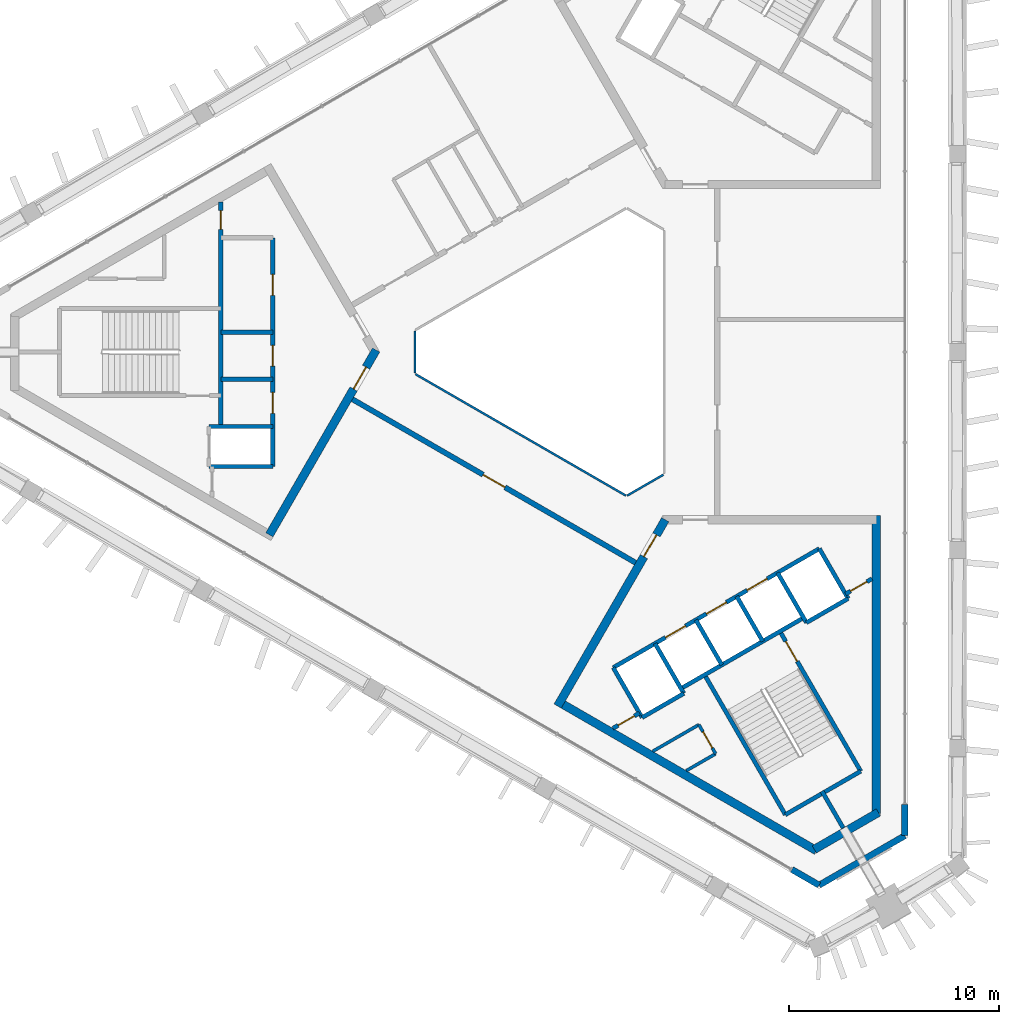
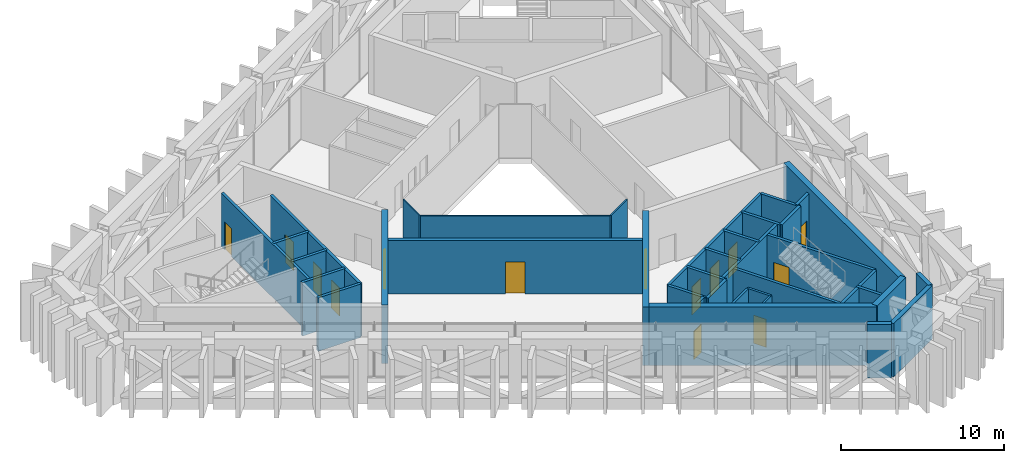
# One storey, part 8 of 12: 37 walls, 14 doors, 14 openings.
"""IFC4 building model written with IfcOpenShell, lengths in metres."""

from ifc_helpers import new_model, si_unit, direction, frame, frame_2d, origin, place, context, subcontext, project, spatial, rectangle, extrude, material, layer, layer_set, type_object, element, fill, save


model = new_model("IFC4")

# Units and contexts
model_context = context("Model", 3, precision=1e-05, world=origin(), true_north=direction((0.0, 1.0)))
body_context = subcontext(model_context, "Body", "Model", "MODEL_VIEW")
ifc_project = project(units=[si_unit("LENGTHUNIT", "METRE"), si_unit("AREAUNIT", "SQUARE_METRE"), si_unit("VOLUMEUNIT", "CUBIC_METRE"), si_unit("PLANEANGLEUNIT", "RADIAN"), si_unit("MASSUNIT", "GRAM", prefix="KILO")], contexts=[model_context])

# Site, building, storey
site_placement = place(None, origin())
site = spatial("IfcSite", under=ifc_project, at=site_placement, CompositionType="ELEMENT")
building_placement = place(site_placement, origin())
building = spatial("IfcBuilding", under=site, at=building_placement, Name="Jabali Bay Hotel Tower and Convention Centre", CompositionType="ELEMENT")
storey_placement = place(building_placement, frame((0.0, 0.0, 300.39990234375)))
storey = spatial("IfcBuildingStorey", under=building, at=storey_placement, Name="L74", CompositionType="ELEMENT", Elevation=300.39990234375)

# Walls
ifc_material_1 = material(Name="Fire-resistant glazing", Category="glass")
ifc_layer_1 = layer(ifc_material_1, 0.10009765625)
ifc_layer_set_1 = layer_set([ifc_layer_1], Name="Fire-resistant glazing")
wall_type_1 = type_object("IfcWallType", Name="Atrium glazed screen 100", PredefinedType="PARTITIONING", material=ifc_layer_set_1)
wall_1_placement = place(storey_placement, frame((67.672119140625, 81.0, 0.0), z_axis=(0.0, 0.0, 1.0), x_axis=(0.0, -1.0, 0.0)))
element("IfcWall", 1, at=wall_1_placement, inside=storey, type_object=wall_type_1, Name="Atrium screen 4 L74", PredefinedType="PARTITIONING", context=body_context, shape_type="SweptSolid", body=[
    extrude(rectangle(XDim=2.0, YDim=0.10009765625, at=frame_2d((1.0, 0.0))), origin(), (0.0, 0.0, 1.0), 4.0),
])
wall_2_placement = place(storey_placement, frame((67.7021484375, 78.947998046875, 0.0), z_axis=(0.0, 0.0, 1.0), x_axis=(0.866026658274, -0.499997827154, 0.0)))
element("IfcWall", 2, at=wall_2_placement, inside=storey, type_object=wall_type_1, Name="Atrium screen 5 L74", PredefinedType="PARTITIONING", context=body_context, shape_type="SweptSolid", body=[
    extrude(rectangle(XDim=11.58837890625, YDim=0.10009765625, at=frame_2d((5.794189453125, 0.0))), origin(), (0.0, 0.0, 1.0), 4.0),
])
wall_3_placement = place(storey_placement, frame((77.7978515625, 73.15380859375, 0.0), z_axis=(0.0, 0.0, 1.0), x_axis=(0.866041268327, 0.499972520799, 0.0)))
element("IfcWall", 3, at=wall_3_placement, inside=storey, type_object=wall_type_1, Name="Atrium screen 6 L74", PredefinedType="PARTITIONING", context=body_context, shape_type="SweptSolid", body=[
    extrude(rectangle(XDim=2.0, YDim=0.10009765625, at=frame_2d((1.0, 0.0))), origin(), (0.0, 0.0, 1.0), 4.0),
])
ifc_material_2 = material(Name="Concrete C40", Category="concrete")
ifc_layer_2 = layer(ifc_material_2, 0.199951171875)
ifc_layer_set_2 = layer_set([ifc_layer_2], Name="Concrete C40")
wall_type_2 = type_object("IfcWallType", Name="Core partition wall 200", PredefinedType="PARTITIONING", material=ifc_layer_set_2)
wall_4_placement = place(storey_placement, frame((87.090087890625, 59.0595703125, 0.0), z_axis=(0.0, 0.0, 1.0), x_axis=(0.499941815747, -0.866058993873, 0.0)))
element("IfcWall", 4, at=wall_4_placement, inside=storey, type_object=wall_type_2, Name="Core wall 2.5 L74", PredefinedType="PARTITIONING", context=body_context, shape_type="SweptSolid", body=[
    extrude(rectangle(XDim=2.023193359375, YDim=0.199951171875, at=frame_2d((1.01171875, 0.0))), origin(), (0.0, 0.0, 1.0), 4.0),
])

# Wall, opening, door
wall_5_placement = place(storey_placement, frame((77.119873046875, 62.055908203125, 0.0), z_axis=(0.0, 0.0, 1.0), x_axis=(0.866054810376, 0.49994906283, 0.0)))
wall_5 = element("IfcWall", 5, at=wall_5_placement, inside=storey, type_object=wall_type_2, Name="Core wall 2.12 L74", PredefinedType="PARTITIONING", context=body_context, shape_type="SweptSolid", body=[
    extrude(rectangle(XDim=1.461181640625, YDim=0.199951171875, at=frame_2d((0.73046875, 0.0))), origin(), (0.0, 0.0, 1.0), 4.0),
])
opening_1_placement = place(wall_5_placement, frame((0.280517578125, 0.0, 0.0)))
opening_1 = element("IfcOpeningElement", 6, at=opening_1_placement, cuts=wall_5, Name="Opening D1657", PredefinedType="OPENING", context=body_context, shape_type="SweptSolid", body=[
    extrude(rectangle(XDim=0.89990234375, YDim=2.10009765625, at=frame_2d((0.449951171875, 1.050048828125))), frame((0.0, 0.1103515625, 0.0), z_axis=(0.0, -1.0, 0.0), x_axis=(1.0, 0.0, 0.0)), (0.0, 0.0, 1.0), 0.220947265625),
])
ifc_material_3 = material(Name="Fire-rated steel door", Category="steel")
door_type_1 = type_object("IfcDoorType", Name="Vestibule fire door 900 x 2100", OperationType="NOTDEFINED", PredefinedType="NOTDEFINED", material=ifc_material_3)
door_1_placement = place(opening_1_placement, origin())
door_1 = element("IfcDoor", 7, at=door_1_placement, inside=storey, type_object=door_type_1, Name="Vestibule fire door D1657", OperationType="SINGLE_SWING_LEFT", OverallHeight=2.10009765625, OverallWidth=0.89990234375, PredefinedType="NOTDEFINED", context=body_context, shape_type="SweptSolid", body=[
    extrude(rectangle(XDim=0.89990234375, YDim=2.10009765625, at=frame_2d((0.449951171875, 1.050048828125))), frame((0.0, 0.02490234375, 0.0), z_axis=(0.0, -1.0, 0.0), x_axis=(1.0, 0.0, 0.0)), (0.0, 0.0, 1.0), 0.050048828125),
])
fill(opening_1, door_1)

wall_6_placement = place(storey_placement, frame((88.214599609375, 68.46142578125, 0.0), z_axis=(0.0, 0.0, 1.0), x_axis=(0.865982457891, 0.500074377092, 0.0)))
wall_6 = element("IfcWall", 8, at=wall_6_placement, inside=storey, type_object=wall_type_2, Name="Core wall 2.13 L74", PredefinedType="PARTITIONING", context=body_context, shape_type="SweptSolid", body=[
    extrude(rectangle(XDim=1.461181640625, YDim=0.199951171875, at=frame_2d((0.73046875, 0.0))), origin(), (0.0, 0.0, 1.0), 4.0),
])
opening_2_placement = place(wall_6_placement, frame((0.280517578125, 0.0, 0.0)))
opening_2 = element("IfcOpeningElement", 9, at=opening_2_placement, cuts=wall_6, Name="Opening D1656", PredefinedType="OPENING", context=body_context, shape_type="SweptSolid", body=[
    extrude(rectangle(XDim=0.89990234375, YDim=2.10009765625, at=frame_2d((0.449951171875, 1.050048828125))), frame((0.0, 0.1103515625, 0.0), z_axis=(0.0, -1.0, 0.0), x_axis=(1.0, 0.0, 0.0)), (0.0, 0.0, 1.0), 0.220947265625),
])
door_2_placement = place(opening_2_placement, origin())
door_2 = element("IfcDoor", 10, at=door_2_placement, inside=storey, type_object=door_type_1, Name="Vestibule fire door D1656", OperationType="SINGLE_SWING_LEFT", OverallHeight=2.10009765625, OverallWidth=0.89990234375, PredefinedType="NOTDEFINED", context=body_context, shape_type="SweptSolid", body=[
    extrude(rectangle(XDim=0.89990234375, YDim=2.10009765625, at=frame_2d((0.449951171875, 1.050048828125))), frame((0.0, 0.02490234375, 0.0), z_axis=(0.0, -1.0, 0.0), x_axis=(1.0, 0.0, 0.0)), (0.0, 0.0, 1.0), 0.050048828125),
])
fill(opening_2, door_2)

ifc_material_4 = material(Name="Fire-rated board partition")
ifc_layer_3 = layer(ifc_material_4, 0.14990234375)
ifc_layer_set_3 = layer_set([ifc_layer_3], Name="Fire-rated board partition")
wall_type_3 = type_object("IfcWallType", Name="Core room partition 150", PredefinedType="PARTITIONING", material=ifc_layer_set_3)
wall_7_placement = place(storey_placement, frame((81.218994140625, 62.228515625, 0.0), z_axis=(0.0, 0.0, 1.0), x_axis=(0.499880961361, -0.866094119867, 0.0)))
wall_7 = element("IfcWall", 11, at=wall_7_placement, inside=storey, type_object=wall_type_3, Name="Core wall 2.1 L74", PredefinedType="PARTITIONING", context=body_context, shape_type="SweptSolid", body=[
    extrude(rectangle(XDim=1.60009765625, YDim=0.14990234375, at=frame_2d((0.800048828125, 0.0))), origin(), (0.0, 0.0, 1.0), 4.0),
])
opening_3_placement = place(wall_7_placement, frame((0.387451171875, 0.0, 0.0)))
opening_3 = element("IfcOpeningElement", 12, at=opening_3_placement, cuts=wall_7, Name="Opening D1659", PredefinedType="OPENING", context=body_context, shape_type="SweptSolid", body=[
    extrude(rectangle(XDim=0.89990234375, YDim=2.10009765625, at=frame_2d((0.449951171875, 1.050048828125))), frame((0.0, 0.08544921875, 0.0), z_axis=(0.0, -1.0, 0.0), x_axis=(1.0, 0.0, 0.0)), (0.0, 0.0, 1.0), 0.1708984375),
])
door_type_2 = type_object("IfcDoorType", Name="Core room door 900 x 2100", OperationType="NOTDEFINED", PredefinedType="NOTDEFINED", material=ifc_material_3)
door_3_placement = place(opening_3_placement, origin())
door_3 = element("IfcDoor", 13, at=door_3_placement, inside=storey, type_object=door_type_2, Name="Core room door D1659", OperationType="SINGLE_SWING_LEFT", OverallHeight=2.10009765625, OverallWidth=0.89990234375, PredefinedType="NOTDEFINED", context=body_context, shape_type="SweptSolid", body=[
    extrude(rectangle(XDim=0.89990234375, YDim=2.10009765625, at=frame_2d((0.449951171875, 1.050048828125))), frame((0.0, 0.02490234375, 0.0), z_axis=(0.0, -1.0, 0.0), x_axis=(1.0, 0.0, 0.0)), (0.0, 0.0, 1.0), 0.050048828125),
])
fill(opening_3, door_3)

# Walls
wall_8_placement = place(storey_placement, frame((79.02001953125, 60.958984375, 0.0), z_axis=(0.0, 0.0, 1.0), x_axis=(0.866033475577, 0.499986018985, 0.0)))
element("IfcWall", 14, at=wall_8_placement, inside=storey, type_object=wall_type_3, Name="Core wall 2.16 L74", PredefinedType="PARTITIONING", context=body_context, shape_type="SweptSolid", body=[
    extrude(rectangle(XDim=2.5390625, YDim=0.14990234375, at=frame_2d((1.26953125, 0.0))), origin(), (0.0, 0.0, 1.0), 4.0),
])
wall_9_placement = place(storey_placement, frame((80.6201171875, 60.03515625, 0.0), z_axis=(0.0, 0.0, 1.0), x_axis=(0.866001818993, 0.500040847832, 0.0)))
element("IfcWall", 15, at=wall_9_placement, inside=storey, type_object=wall_type_3, Name="Core wall 2.17 L74", PredefinedType="PARTITIONING", context=body_context, shape_type="SweptSolid", body=[
    extrude(rectangle(XDim=1.614990234375, YDim=0.14990234375, at=frame_2d((0.8076171875, 0.0))), origin(), (0.0, 0.0, 1.0), 4.0),
])
ifc_layer_4 = layer(ifc_material_2, 0.199951171875)
ifc_layer_set_4 = layer_set([ifc_layer_4], Name="Concrete C40")
wall_type_4 = type_object("IfcWallType", Name="Core stair wall 200", PredefinedType="SOLIDWALL", material=ifc_layer_set_4)
for number, where, z_axis, x_axis, name in (
    (16, (60.89990234375, 80.949951171875, 0.0), (0.0, 0.0, 1.0), (-1.0, 0.0, 0.0), "Core wall 0.3 L74"),
    (17, (60.89990234375, 78.699951171875, 0.0), (0.0, 0.0, 1.0), (-1.0, 0.0, 0.0), "Core wall 0.5 L74"),
):
    element("IfcWall", number, at=place(storey_placement, frame(where, z_axis=z_axis, x_axis=x_axis)), inside=storey, type_object=wall_type_4, Name=name, PredefinedType="SOLIDWALL", context=body_context, shape_type="SweptSolid", body=[
        extrude(rectangle(XDim=2.47998046875, YDim=0.199951171875, at=frame_2d((1.239990234375, 0.0))), origin(), (0.0, 0.0, 1.0), 4.0),
    ])
for number, where, z_axis, x_axis, name in (
    (18, (60.89990234375, 76.449951171875, 0.0), (0.0, 0.0, 1.0), (-1.0, 0.0, 0.0), "Core wall 0.7 L74"),
    (19, (60.89990234375, 74.550048828125, 0.0), (0.0, 0.0, 1.0), (-1.0, 0.0, 0.0), "Core wall 0.8 L74"),
):
    element("IfcWall", number, at=place(storey_placement, frame(where, z_axis=z_axis, x_axis=x_axis)), inside=storey, type_object=wall_type_4, Name=name, PredefinedType="SOLIDWALL", context=body_context, shape_type="SweptSolid", body=[
        extrude(rectangle(XDim=3.0498046875, YDim=0.199951171875, at=frame_2d((1.52490234375, 0.0))), origin(), (0.0, 0.0, 1.0), 4.0),
    ])

# Wall, openings, doors
wall_10_placement = place(storey_placement, frame((60.89990234375, 85.449951171875, 0.0), z_axis=(0.0, 0.0, 1.0), x_axis=(0.0, -1.0, 0.0)))
wall_10 = element("IfcWall", 20, at=wall_10_placement, inside=storey, type_object=wall_type_4, Name="Core wall 0.9 L74", PredefinedType="SOLIDWALL", context=body_context, shape_type="SweptSolid", body=[
    extrude(rectangle(XDim=10.89990234375, YDim=0.199951171875, at=frame_2d((5.449951171875, 0.0))), origin(), (0.0, 0.0, 1.0), 4.0),
])
opening_4_placement = place(wall_10_placement, frame((1.75, 0.0, 0.0)))
opening_4 = element("IfcOpeningElement", 21, at=opening_4_placement, cuts=wall_10, Name="Opening D1638", PredefinedType="OPENING", context=body_context, shape_type="SweptSolid", body=[
    extrude(rectangle(XDim=1.0, YDim=2.10009765625, at=frame_2d((0.5, 1.050048828125))), frame((0.0, 0.1103515625, 0.0), z_axis=(0.0, -1.0, 0.0), x_axis=(1.0, 0.0, 0.0)), (0.0, 0.0, 1.0), 0.220947265625),
])
opening_5_placement = place(wall_10_placement, frame((5.125, 0.0, 0.0)))
opening_5 = element("IfcOpeningElement", 22, at=opening_5_placement, cuts=wall_10, Name="Opening D1639", PredefinedType="OPENING", context=body_context, shape_type="SweptSolid", body=[
    extrude(rectangle(XDim=1.0, YDim=2.10009765625, at=frame_2d((0.5, 1.050048828125))), frame((0.0, 0.1103515625, 0.0), z_axis=(0.0, -1.0, 0.0), x_axis=(1.0, 0.0, 0.0)), (0.0, 0.0, 1.0), 0.220947265625),
])
opening_6_placement = place(wall_10_placement, frame((7.375, 0.0, 0.0)))
opening_6 = element("IfcOpeningElement", 23, at=opening_6_placement, cuts=wall_10, Name="Opening D1640", PredefinedType="OPENING", context=body_context, shape_type="SweptSolid", body=[
    extrude(rectangle(XDim=1.0, YDim=2.10009765625, at=frame_2d((0.5, 1.050048828125))), frame((0.0, 0.1103515625, 0.0), z_axis=(0.0, -1.0, 0.0), x_axis=(1.0, 0.0, 0.0)), (0.0, 0.0, 1.0), 0.220947265625),
])
door_type_3 = type_object("IfcDoorType", Name="Core room door 1000 x 2100", OperationType="NOTDEFINED", PredefinedType="NOTDEFINED", material=ifc_material_3)
door_4_placement = place(opening_4_placement, origin())
door_4 = element("IfcDoor", 24, at=door_4_placement, inside=storey, type_object=door_type_3, Name="Core room door D1638", OperationType="SINGLE_SWING_RIGHT", OverallHeight=2.10009765625, OverallWidth=1.0, PredefinedType="NOTDEFINED", context=body_context, shape_type="SweptSolid", body=[
    extrude(rectangle(XDim=1.0, YDim=2.10009765625, at=frame_2d((0.5, 1.050048828125))), frame((0.0, 0.02490234375, 0.0), z_axis=(0.0, -1.0, 0.0), x_axis=(1.0, 0.0, 0.0)), (0.0, 0.0, 1.0), 0.050048828125),
])
fill(opening_4, door_4)
door_5_placement = place(opening_5_placement, origin())
door_5 = element("IfcDoor", 25, at=door_5_placement, inside=storey, type_object=door_type_3, Name="Core room door D1639", OperationType="SINGLE_SWING_RIGHT", OverallHeight=2.10009765625, OverallWidth=1.0, PredefinedType="NOTDEFINED", context=body_context, shape_type="SweptSolid", body=[
    extrude(rectangle(XDim=1.0, YDim=2.10009765625, at=frame_2d((0.5, 1.050048828125))), frame((0.0, 0.02490234375, 0.0), z_axis=(0.0, -1.0, 0.0), x_axis=(1.0, 0.0, 0.0)), (0.0, 0.0, 1.0), 0.050048828125),
])
fill(opening_5, door_5)
door_6_placement = place(opening_6_placement, origin())
door_6 = element("IfcDoor", 26, at=door_6_placement, inside=storey, type_object=door_type_3, Name="Core room door D1640", OperationType="SINGLE_SWING_RIGHT", OverallHeight=2.10009765625, OverallWidth=1.0, PredefinedType="NOTDEFINED", context=body_context, shape_type="SweptSolid", body=[
    extrude(rectangle(XDim=1.0, YDim=2.10009765625, at=frame_2d((0.5, 1.050048828125))), frame((0.0, 0.02490234375, 0.0), z_axis=(0.0, -1.0, 0.0), x_axis=(1.0, 0.0, 0.0)), (0.0, 0.0, 1.0), 0.050048828125),
])
fill(opening_6, door_6)

# Wall, opening, door
wall_11_placement = place(storey_placement, frame((58.419921875, 87.147705078125, 0.0), z_axis=(0.0, 0.0, 1.0), x_axis=(0.0, -1.0, 0.0)))
wall_11 = element("IfcWall", 27, at=wall_11_placement, inside=storey, type_object=wall_type_4, Name="Core wall 0.10 L74", PredefinedType="SOLIDWALL", context=body_context, shape_type="SweptSolid", body=[
    extrude(rectangle(XDim=10.69775390625, YDim=0.199951171875, at=frame_2d((5.348876953125, 0.0))), origin(), (0.0, 0.0, 1.0), 4.0),
])
opening_7_placement = place(wall_11_placement, frame((0.398681640625, 0.0, 0.0)))
opening_7 = element("IfcOpeningElement", 28, at=opening_7_placement, cuts=wall_11, Name="Opening D1642", PredefinedType="OPENING", context=body_context, shape_type="SweptSolid", body=[
    extrude(rectangle(XDim=0.89990234375, YDim=2.10009765625, at=frame_2d((0.449951171875, 1.050048828125))), frame((0.0, 0.1103515625, 0.0), z_axis=(0.0, -1.0, 0.0), x_axis=(1.0, 0.0, 0.0)), (0.0, 0.0, 1.0), 0.220947265625),
])
door_7_placement = place(opening_7_placement, origin())
door_7 = element("IfcDoor", 29, at=door_7_placement, inside=storey, type_object=door_type_1, Name="Vestibule fire door D1642", OperationType="SINGLE_SWING_LEFT", OverallHeight=2.10009765625, OverallWidth=0.89990234375, PredefinedType="NOTDEFINED", context=body_context, shape_type="SweptSolid", body=[
    extrude(rectangle(XDim=0.89990234375, YDim=2.10009765625, at=frame_2d((0.449951171875, 1.050048828125))), frame((0.0, 0.02490234375, 0.0), z_axis=(0.0, -1.0, 0.0), x_axis=(1.0, 0.0, 0.0)), (0.0, 0.0, 1.0), 0.050048828125),
])
fill(opening_7, door_7)

# Walls
for number, where, z_axis, x_axis, name in (
    (30, (77.13525390625, 64.95166015625, 0.0), (0.0, 0.0, 1.0), (0.499996545922, -0.866027397988, 0.0), "Core wall 2.0 L74"),
    (31, (79.127197265625, 66.1015625, 0.0), (0.0, 0.0, 1.0), (0.499996545922, -0.866027397988, 0.0), "Core wall 2.2 L74"),
):
    element("IfcWall", number, at=place(storey_placement, frame(where, z_axis=z_axis, x_axis=x_axis)), inside=storey, type_object=wall_type_4, Name=name, PredefinedType="SOLIDWALL", context=body_context, shape_type="SweptSolid", body=[
        extrude(rectangle(XDim=2.75, YDim=0.199951171875, at=frame_2d((1.375, 0.0))), origin(), (0.0, 0.0, 1.0), 4.0),
    ])
wall_12_placement = place(storey_placement, frame((81.492919921875, 64.603759765625, 0.0), z_axis=(0.0, 0.0, 1.0), x_axis=(0.500006057782, -0.866021906294, 0.0)))
element("IfcWall", 32, at=wall_12_placement, inside=storey, type_object=wall_type_4, Name="Core wall 2.3 L74", PredefinedType="SOLIDWALL", context=body_context, shape_type="SweptSolid", body=[
    extrude(rectangle(XDim=7.7001953125, YDim=0.199951171875, at=frame_2d((3.85009765625, 0.0))), origin(), (0.0, 0.0, 1.0), 4.0),
])
for number, where, z_axis, x_axis, name in (
    (33, (81.07568359375, 67.2265625, 0.0), (0.0, 0.0, 1.0), (0.50000366821, -0.866023285932, 0.0), "Core wall 2.4 L74"),
    (34, (83.024169921875, 68.3515625, 0.0), (0.0, 0.0, 1.0), (0.50000366821, -0.866023285932, 0.0), "Core wall 2.6 L74"),
):
    element("IfcWall", number, at=place(storey_placement, frame(where, z_axis=z_axis, x_axis=x_axis)), inside=storey, type_object=wall_type_4, Name=name, PredefinedType="SOLIDWALL", context=body_context, shape_type="SweptSolid", body=[
        extrude(rectangle(XDim=2.47998046875, YDim=0.199951171875, at=frame_2d((1.239990234375, 0.0))), origin(), (0.0, 0.0, 1.0), 4.0),
    ])

# Wall, opening, door
wall_13_placement = place(storey_placement, frame((85.0869140625, 66.6787109375, 0.0), z_axis=(0.0, 0.0, 1.0), x_axis=(0.500019787375, -0.866013979237, 0.0)))
wall_13 = element("IfcWall", 35, at=wall_13_placement, inside=storey, type_object=wall_type_4, Name="Core wall 2.7 L74", PredefinedType="SOLIDWALL", context=body_context, shape_type="SweptSolid", body=[
    extrude(rectangle(XDim=7.699951171875, YDim=0.199951171875, at=frame_2d((3.85009765625, 0.0))), origin(), (0.0, 0.0, 1.0), 4.0),
])
opening_8_placement = place(wall_13_placement, frame((0.550048828125, 0.0, 0.0)))
opening_8 = element("IfcOpeningElement", 36, at=opening_8_placement, cuts=wall_13, Name="Opening D1658", PredefinedType="OPENING", context=body_context, shape_type="SweptSolid", body=[
    extrude(rectangle(XDim=1.10009765625, YDim=2.10009765625, at=frame_2d((0.550048828125, 1.050048828125))), frame((0.0, 0.1103515625, 0.0), z_axis=(0.0, -1.0, 0.0), x_axis=(1.0, 0.0, 0.0)), (0.0, 0.0, 1.0), 0.220947265625),
])
door_type_4 = type_object("IfcDoorType", Name="Stair fire door 1100 x 2100", OperationType="NOTDEFINED", PredefinedType="NOTDEFINED", material=ifc_material_3)
door_8_placement = place(opening_8_placement, origin())
door_8 = element("IfcDoor", 37, at=door_8_placement, inside=storey, type_object=door_type_4, Name="Stair fire door D1658", OperationType="SINGLE_SWING_RIGHT", OverallHeight=2.10009765625, OverallWidth=1.10009765625, PredefinedType="NOTDEFINED", context=body_context, shape_type="SweptSolid", body=[
    extrude(rectangle(XDim=1.10009765625, YDim=2.10009765625, at=frame_2d((0.550048828125, 1.050048828125))), frame((0.0, 0.02490234375, 0.0), z_axis=(0.0, -1.0, 0.0), x_axis=(1.0, 0.0, 0.0)), (0.0, 0.0, 1.0), 0.050048828125),
])
fill(opening_8, door_8)

# Walls
for number, where, z_axis, x_axis, name in (
    (38, (84.972900390625, 69.4765625, 0.0), (0.0, 0.0, 1.0), (0.499996545922, -0.866027397988, 0.0), "Core wall 2.8 L74"),
    (39, (86.964599609375, 70.62646484375, 0.0), (0.0, 0.0, 1.0), (0.499996545922, -0.866027397988, 0.0), "Core wall 2.9 L74"),
):
    element("IfcWall", number, at=place(storey_placement, frame(where, z_axis=z_axis, x_axis=x_axis)), inside=storey, type_object=wall_type_4, Name=name, PredefinedType="SOLIDWALL", context=body_context, shape_type="SweptSolid", body=[
        extrude(rectangle(XDim=2.75, YDim=0.199951171875, at=frame_2d((1.375, 0.0))), origin(), (0.0, 0.0, 1.0), 4.0),
    ])

# Wall, openings, doors
wall_14_placement = place(storey_placement, frame((77.13525390625, 64.95166015625, 0.0), z_axis=(0.0, 0.0, 1.0), x_axis=(0.866031916153, 0.499988720078, 0.0)))
wall_14 = element("IfcWall", 40, at=wall_14_placement, inside=storey, type_object=wall_type_4, Name="Core wall 2.10 L74", PredefinedType="SOLIDWALL", context=body_context, shape_type="SweptSolid", body=[
    extrude(rectangle(XDim=11.349853515625, YDim=0.199951171875, at=frame_2d((5.6748046875, 0.0))), origin(), (0.0, 0.0, 1.0), 4.0),
])
opening_9_placement = place(wall_14_placement, frame((2.875, 0.0, 0.0)))
opening_9 = element("IfcOpeningElement", 41, at=opening_9_placement, cuts=wall_14, Name="Opening LD12-L74", PredefinedType="OPENING", context=body_context, shape_type="SweptSolid", body=[
    extrude(rectangle(XDim=1.10009765625, YDim=2.10009765625, at=frame_2d((0.550048828125, 1.050048828125))), frame((0.0, 0.1103515625, 0.0), z_axis=(0.0, -1.0, 0.0), x_axis=(1.0, 0.0, 0.0)), (0.0, 0.0, 1.0), 0.220947265625),
])
opening_10_placement = place(wall_14_placement, frame((5.125, 0.0, 0.0)))
opening_10 = element("IfcOpeningElement", 42, at=opening_10_placement, cuts=wall_14, Name="Opening LD13-L74", PredefinedType="OPENING", context=body_context, shape_type="SweptSolid", body=[
    extrude(rectangle(XDim=1.10009765625, YDim=2.10009765625, at=frame_2d((0.550048828125, 1.050048828125))), frame((0.0, 0.1103515625, 0.0), z_axis=(0.0, -1.0, 0.0), x_axis=(1.0, 0.0, 0.0)), (0.0, 0.0, 1.0), 0.220947265625),
])
opening_11_placement = place(wall_14_placement, frame((7.375, 0.0, 0.0)))
opening_11 = element("IfcOpeningElement", 43, at=opening_11_placement, cuts=wall_14, Name="Opening LD14-L74", PredefinedType="OPENING", context=body_context, shape_type="SweptSolid", body=[
    extrude(rectangle(XDim=1.10009765625, YDim=2.10009765625, at=frame_2d((0.550048828125, 1.050048828125))), frame((0.0, 0.1103515625, 0.0), z_axis=(0.0, -1.0, 0.0), x_axis=(1.0, 0.0, 0.0)), (0.0, 0.0, 1.0), 0.220947265625),
])
ifc_material_5 = material(Name="Stainless steel landing door", Category="steel")
door_type_5 = type_object("IfcDoorType", Name="Landing door 1100 x 2100", OperationType="NOTDEFINED", PredefinedType="NOTDEFINED", material=ifc_material_5)
door_9_placement = place(opening_9_placement, origin())
door_9 = element("IfcDoor", 44, at=door_9_placement, inside=storey, type_object=door_type_5, Name="Landing doors LD12-L74", OperationType="SLIDING_TO_LEFT", OverallHeight=2.10009765625, OverallWidth=1.10009765625, PredefinedType="NOTDEFINED", context=body_context, shape_type="SweptSolid", body=[
    extrude(rectangle(XDim=1.10009765625, YDim=2.10009765625, at=frame_2d((0.550048828125, 1.050048828125))), frame((0.0, 0.02490234375, 0.0), z_axis=(0.0, -1.0, 0.0), x_axis=(1.0, 0.0, 0.0)), (0.0, 0.0, 1.0), 0.050048828125),
])
fill(opening_9, door_9)
door_10_placement = place(opening_10_placement, origin())
door_10 = element("IfcDoor", 45, at=door_10_placement, inside=storey, type_object=door_type_5, Name="Landing doors LD13-L74", OperationType="SLIDING_TO_RIGHT", OverallHeight=2.10009765625, OverallWidth=1.10009765625, PredefinedType="NOTDEFINED", context=body_context, shape_type="SweptSolid", body=[
    extrude(rectangle(XDim=1.10009765625, YDim=2.10009765625, at=frame_2d((0.550048828125, 1.050048828125))), frame((0.0, 0.02490234375, 0.0), z_axis=(0.0, -1.0, 0.0), x_axis=(1.0, 0.0, 0.0)), (0.0, 0.0, 1.0), 0.050048828125),
])
fill(opening_10, door_10)
door_11_placement = place(opening_11_placement, origin())
door_11 = element("IfcDoor", 46, at=door_11_placement, inside=storey, type_object=door_type_5, Name="Landing doors LD14-L74", OperationType="SLIDING_TO_LEFT", OverallHeight=2.10009765625, OverallWidth=1.10009765625, PredefinedType="NOTDEFINED", context=body_context, shape_type="SweptSolid", body=[
    extrude(rectangle(XDim=1.10009765625, YDim=2.10009765625, at=frame_2d((0.550048828125, 1.050048828125))), frame((0.0, 0.02490234375, 0.0), z_axis=(0.0, -1.0, 0.0), x_axis=(1.0, 0.0, 0.0)), (0.0, 0.0, 1.0), 0.050048828125),
])
fill(opening_11, door_11)

# Walls
wall_15_placement = place(storey_placement, frame((80.3671875, 63.953857421875, 0.0), z_axis=(0.0, 0.0, 1.0), x_axis=(0.866026575979, 0.499997969693, 0.0)))
element("IfcWall", 47, at=wall_15_placement, inside=storey, type_object=wall_type_4, Name="Core wall 2.11 L74", PredefinedType="SOLIDWALL", context=body_context, shape_type="SweptSolid", body=[
    extrude(rectangle(XDim=6.75, YDim=0.199951171875, at=frame_2d((3.375, 0.0))), origin(), (0.0, 0.0, 1.0), 4.0),
])
wall_16_placement = place(storey_placement, frame((78.51025390625, 62.570068359375, 0.0), z_axis=(0.0, 0.0, 1.0), x_axis=(0.866053019151, 0.499952165731, 0.0)))
element("IfcWall", 48, at=wall_16_placement, inside=storey, type_object=wall_type_4, Name="Core wall 2.14 L74", PredefinedType="SOLIDWALL", context=body_context, shape_type="SweptSolid", body=[
    extrude(rectangle(XDim=2.300048828125, YDim=0.199951171875, at=frame_2d((1.14990234375, 0.0))), origin(), (0.0, 0.0, 1.0), 4.0),
])
wall_17_placement = place(storey_placement, frame((86.347900390625, 67.094970703125, 0.0), z_axis=(0.0, 0.0, 1.0), x_axis=(0.86602648383, 0.499998129301, 0.0)))
element("IfcWall", 49, at=wall_17_placement, inside=storey, type_object=wall_type_4, Name="Core wall 2.15 L74", PredefinedType="SOLIDWALL", context=body_context, shape_type="SweptSolid", body=[
    extrude(rectangle(XDim=2.2998046875, YDim=0.199951171875, at=frame_2d((1.14990234375, 0.0))), origin(), (0.0, 0.0, 1.0), 4.0),
])
wall_18_placement = place(storey_placement, frame((85.343017578125, 57.935302734375, 0.0), z_axis=(0.0, 0.0, 1.0), x_axis=(0.866004344652, 0.500036473714, 0.0)))
element("IfcWall", 50, at=wall_18_placement, inside=storey, type_object=wall_type_4, Name="Core wall 2.18 L74", PredefinedType="SOLIDWALL", context=body_context, shape_type="SweptSolid", body=[
    extrude(rectangle(XDim=4.150146484375, YDim=0.199951171875, at=frame_2d((2.0751953125, 0.0))), origin(), (0.0, 0.0, 1.0), 4.0),
])

# Wall, opening, door
ifc_material_6 = material(Name="Concrete C60", Category="concrete")
ifc_layer_5 = layer(ifc_material_6, 0.39990234375)
ifc_layer_set_5 = layer_set([ifc_layer_5], Name="Concrete C60")
wall_type_5 = type_object("IfcWallType", Name="Core wall 400", PredefinedType="SHEAR", material=ifc_layer_set_5)
wall_19_placement = place(storey_placement, frame((60.73681640625, 71.283935546875, 0.0), z_axis=(0.0, 0.0, 1.0), x_axis=(0.50000547566, 0.866022242388, 0.0)))
wall_19 = element("IfcWall", 51, at=wall_19_placement, inside=storey, type_object=wall_type_5, Name="Core wall 1.5 L74", PredefinedType="SHEAR", context=body_context, shape_type="SweptSolid", body=[
    extrude(rectangle(XDim=10.18017578125, YDim=0.39990234375, at=frame_2d((5.090087890625, 0.0))), origin(), (0.0, 0.0, 1.0), 4.400146484375),
])
opening_12_placement = place(wall_19_placement, frame((8.030029296875, 0.0, 0.0)))
opening_12 = element("IfcOpeningElement", 52, at=opening_12_placement, cuts=wall_19, Name="Opening D1637", PredefinedType="OPENING", context=body_context, shape_type="SweptSolid", body=[
    extrude(rectangle(XDim=1.199951171875, YDim=2.10009765625, at=frame_2d((0.60009765625, 1.050048828125))), frame((0.0, 0.21044921875, 0.0), z_axis=(0.0, -1.0, 0.0), x_axis=(1.0, 0.0, 0.0)), (0.0, 0.0, 1.0), 0.4208984375),
])
door_type_6 = type_object("IfcDoorType", Name="Corridor end fire door 1200 x 2100", OperationType="NOTDEFINED", PredefinedType="NOTDEFINED", material=ifc_material_3)
door_12_placement = place(opening_12_placement, origin())
door_12 = element("IfcDoor", 53, at=door_12_placement, inside=storey, type_object=door_type_6, Name="Corridor end fire door D1637", OperationType="SINGLE_SWING_LEFT", OverallHeight=2.10009765625, OverallWidth=1.199951171875, PredefinedType="NOTDEFINED", context=body_context, shape_type="SweptSolid", body=[
    extrude(rectangle(XDim=1.199951171875, YDim=2.10009765625, at=frame_2d((0.60009765625, 1.050048828125))), frame((0.0, 0.02490234375, 0.0), z_axis=(0.0, -1.0, 0.0), x_axis=(1.0, 0.0, 0.0)), (0.0, 0.0, 1.0), 0.050048828125),
])
fill(opening_12, door_12)

wall_20_placement = place(storey_placement, frame((79.615478515625, 72.005859375, 0.0), z_axis=(0.0, 0.0, 1.0), x_axis=(-0.50000177223, -0.866024380585, 0.0)))
wall_20 = element("IfcWall", 54, at=wall_20_placement, inside=storey, type_object=wall_type_5, Name="Core wall 3.1 L74", PredefinedType="SHEAR", context=body_context, shape_type="SweptSolid", body=[
    extrude(rectangle(XDim=10.2646484375, YDim=0.39990234375, at=frame_2d((5.13232421875, 0.0))), origin(), (0.0, 0.0, 1.0), 4.400146484375),
])
opening_13_placement = place(wall_20_placement, frame((0.83447265625, 0.0, 0.0)))
opening_13 = element("IfcOpeningElement", 55, at=opening_13_placement, cuts=wall_20, Name="Opening D1654", PredefinedType="OPENING", context=body_context, shape_type="SweptSolid", body=[
    extrude(rectangle(XDim=1.199951171875, YDim=2.10009765625, at=frame_2d((0.60009765625, 1.050048828125))), frame((0.0, 0.21044921875, 0.0), z_axis=(0.0, -1.0, 0.0), x_axis=(1.0, 0.0, 0.0)), (0.0, 0.0, 1.0), 0.4208984375),
])
door_13_placement = place(opening_13_placement, origin())
door_13 = element("IfcDoor", 56, at=door_13_placement, inside=storey, type_object=door_type_6, Name="Corridor end fire door D1654", OperationType="SINGLE_SWING_RIGHT", OverallHeight=2.10009765625, OverallWidth=1.199951171875, PredefinedType="NOTDEFINED", context=body_context, shape_type="SweptSolid", body=[
    extrude(rectangle(XDim=1.199951171875, YDim=2.10009765625, at=frame_2d((0.60009765625, 1.050048828125))), frame((0.0, 0.02490234375, 0.0), z_axis=(0.0, -1.0, 0.0), x_axis=(1.0, 0.0, 0.0)), (0.0, 0.0, 1.0), 0.050048828125),
])
fill(opening_13, door_13)

# Walls
wall_21_placement = place(storey_placement, frame((74.583251953125, 63.28955078125, 0.0), z_axis=(0.0, 0.0, 1.0), x_axis=(0.866024494188, -0.500001575463, 0.0)))
element("IfcWall", 57, at=wall_21_placement, inside=storey, type_object=wall_type_5, Name="Core wall 3.2 L74", PredefinedType="SHEAR", context=body_context, shape_type="SweptSolid", body=[
    extrude(rectangle(XDim=14.13330078125, YDim=0.39990234375, at=frame_2d((7.066650390625, 0.0))), origin(), (0.0, 0.0, 1.0), 4.400146484375),
])
wall_22_placement = place(storey_placement, frame((86.72314453125, 56.28076171875, 0.0), z_axis=(0.0, 0.0, 1.0), x_axis=(0.866025485263, 0.499999858875, 0.0)))
element("IfcWall", 58, at=wall_22_placement, inside=storey, type_object=wall_type_5, Name="Core wall 3.3 L74", PredefinedType="SHEAR", context=body_context, shape_type="SweptSolid", body=[
    extrude(rectangle(XDim=3.52978515625, YDim=0.39990234375, at=frame_2d((1.764892578125, 0.0))), origin(), (0.0, 0.0, 1.0), 4.400146484375),
])
wall_23_placement = place(storey_placement, frame((89.679931640625, 57.98779296875, 0.0), z_axis=(0.0, 0.0, 1.0), x_axis=(0.0, 1.0, 0.0)))
element("IfcWall", 59, at=wall_23_placement, inside=storey, type_object=wall_type_5, Name="Core wall 3.4 L74", PredefinedType="SHEAR", context=body_context, shape_type="SweptSolid", body=[
    extrude(rectangle(XDim=14.218017578125, YDim=0.39990234375, at=frame_2d((7.10888671875, 0.0))), origin(), (0.0, 0.0, 1.0), 4.400146484375),
])

# Wall, opening, door
ifc_layer_6 = layer(ifc_material_6, 0.25)
ifc_layer_set_6 = layer_set([ifc_layer_6], Name="Concrete C60")
wall_type_6 = type_object("IfcWallType", Name="Corridor wall 250", PredefinedType="SHEAR", material=ifc_layer_set_6)
wall_24_placement = place(storey_placement, frame((64.699951171875, 77.748291015625, 0.0), z_axis=(0.0, 0.0, 1.0), x_axis=(0.866026492143, -0.499998114903, 0.0)))
wall_24 = element("IfcWall", 60, at=wall_24_placement, inside=storey, type_object=wall_type_6, Name="Corridor wall 3 L74", PredefinedType="SHEAR", context=body_context, shape_type="SweptSolid", body=[
    extrude(rectangle(XDim=15.58837890625, YDim=0.25, at=frame_2d((7.794189453125, 0.0))), origin(), (0.0, 0.0, 1.0), 4.0),
])
opening_14_placement = place(wall_24_placement, frame((7.194091796875, 0.0, 0.0)))
opening_14 = element("IfcOpeningElement", 61, at=opening_14_placement, cuts=wall_24, Name="Opening 7408", PredefinedType="OPENING", context=body_context, shape_type="SweptSolid", body=[
    extrude(rectangle(XDim=1.199951171875, YDim=2.39990234375, at=frame_2d((0.60009765625, 1.199951171875))), frame((0.0, 0.135498046875, 0.0), z_axis=(0.0, -1.0, 0.0), x_axis=(1.0, 0.0, 0.0)), (0.0, 0.0, 1.0), 0.27099609375),
])
ifc_material_7 = material(Name="Timber", Category="wood")
door_type_7 = type_object("IfcDoorType", Name="Public room door 1200 x 2400", OperationType="NOTDEFINED", PredefinedType="NOTDEFINED", material=ifc_material_7)
door_14_placement = place(opening_14_placement, origin())
door_14 = element("IfcDoor", 62, at=door_14_placement, inside=storey, type_object=door_type_7, Name="Door 7408", OperationType="SINGLE_SWING_LEFT", OverallHeight=2.39990234375, OverallWidth=1.199951171875, PredefinedType="NOTDEFINED", context=body_context, shape_type="SweptSolid", body=[
    extrude(rectangle(XDim=1.199951171875, YDim=2.39990234375, at=frame_2d((0.60009765625, 1.199951171875))), frame((0.0, 0.02490234375, 0.0), z_axis=(0.0, -1.0, 0.0), x_axis=(1.0, 0.0, 0.0)), (0.0, 0.0, 1.0), 0.050048828125),
])
fill(opening_14, door_14)

# Walls
ifc_layer_7 = layer(ifc_material_2, 0.300048828125)
ifc_layer_set_7 = layer_set([ifc_layer_7], Name="Concrete C40")
wall_type_7 = type_object("IfcWallType", Name="External wall 300", PredefinedType="SOLIDWALL", material=ifc_layer_set_7)
wall_25_placement = place(storey_placement, frame((91.041015625, 56.934814453125, 0.0), z_axis=(0.0, 0.0, 1.0), x_axis=(-0.866018431725, -0.500012075767, 0.0)))
element("IfcWall", 63, at=wall_25_placement, inside=storey, type_object=wall_type_7, Name="External wall south-east chamfer L74", PredefinedType="SOLIDWALL", context=body_context, shape_type="SweptSolid", body=[
    extrude(rectangle(XDim=4.71875, YDim=0.300048828125, at=frame_2d((2.359375, 0.0))), origin(), (0.0, 0.0, 1.0), 4.0),
])
for number, where, z_axis, x_axis, name in (
    (64, (91.041015625, 58.434814453125, 0.0), (0.0, 0.0, 1.0), (0.0, -1.0, 0.0), "External wall east face L74"),
    (65, (86.95458984375, 54.575439453125, 0.0), (0.0, 0.0, 1.0), (-0.866031096941, 0.499990139034, 0.0), "External wall south-west face L74"),
):
    element("IfcWall", number, at=place(storey_placement, frame(where, z_axis=z_axis, x_axis=x_axis)), inside=storey, type_object=wall_type_7, Name=name, PredefinedType="SOLIDWALL", context=body_context, shape_type="SweptSolid", body=[
        extrude(rectangle(XDim=1.5, YDim=0.300048828125, at=frame_2d((0.75, 0.0))), origin(), (0.0, 0.0, 1.0), 4.0),
    ])

save(model, "model.ifc")
